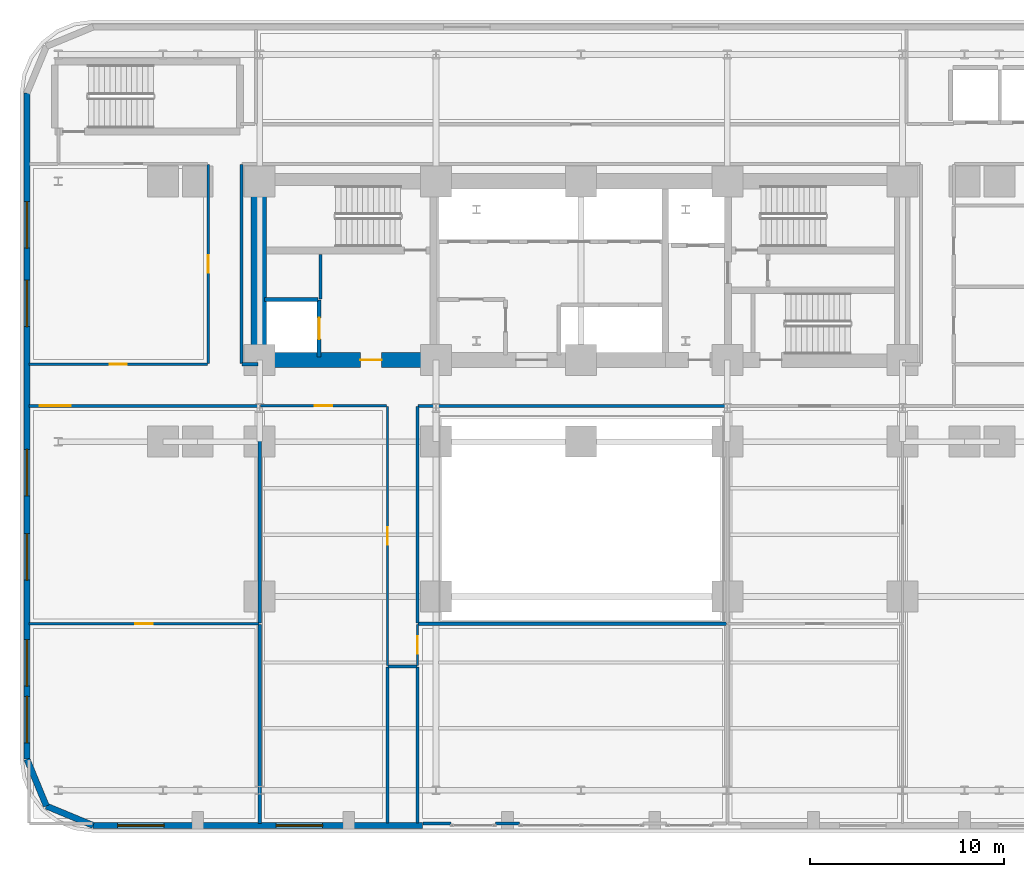
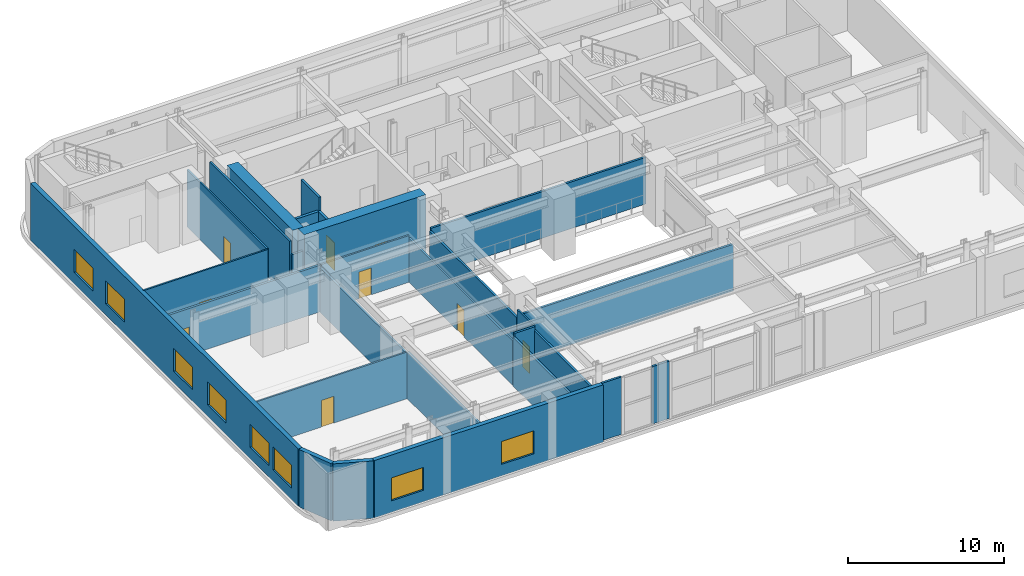
# One storey, part 6 of 16: 28 walls, 9 doors, 8 windows, 17 openings.
"""IFC4 building model written with IfcOpenShell, lengths in metres."""

from ifc_helpers import new_model, si_unit, direction, frame, frame_2d, origin, place, context, subcontext, project, spatial, rectangle, extrude, material, layer, layer_set, type_object, element, fill, save


model = new_model("IFC4")

# Units and contexts
model_context = context("Model", 3, precision=1e-05, world=origin(), true_north=direction((0.0, 1.0)))
body_context = subcontext(model_context, "Body", "Model", "MODEL_VIEW")
ifc_project = project(units=[si_unit("LENGTHUNIT", "METRE"), si_unit("AREAUNIT", "SQUARE_METRE"), si_unit("VOLUMEUNIT", "CUBIC_METRE"), si_unit("PLANEANGLEUNIT", "RADIAN"), si_unit("MASSUNIT", "GRAM", prefix="KILO")], contexts=[model_context])

# Site, building, storey
site_placement = place(None, origin())
site = spatial("IfcSite", under=ifc_project, at=site_placement, CompositionType="ELEMENT")
building_placement = place(site_placement, origin())
building = spatial("IfcBuilding", under=site, at=building_placement, Name="Zarnavel Station Tower", CompositionType="ELEMENT")
storey_placement = place(building_placement, frame((0.0, 0.0, 19.39990234375)))
storey = spatial("IfcBuildingStorey", under=building, at=storey_placement, Name="L05", CompositionType="ELEMENT", Elevation=19.39990234375)

# Wall, opening, door
ifc_material_1 = material(Name="Concrete C60/75", Category="concrete")
ifc_layer_1 = layer(ifc_material_1, 0.800048828125)
ifc_layer_set_1 = layer_set([ifc_layer_1], Name="CW_800")
wall_type_1 = type_object("IfcWallType", Name="CW_800", PredefinedType="SHEAR", material=ifc_layer_set_1)
wall_1_placement = place(storey_placement, frame((21.179931640625, 27.820068359375, 0.0), z_axis=(0.0, 0.0, 1.0), x_axis=(-1.0, 0.0, 0.0)))
wall_1 = element("IfcWall", 1, at=wall_1_placement, inside=storey, type_object=wall_type_1, Name="L05 Rear Core Shear Wall S-W", PredefinedType="SHEAR", context=body_context, shape_type="SweptSolid", body=[
    extrude(rectangle(XDim=9.030029296875, YDim=0.800048828125, at=frame_2d((4.51513671875, 0.0))), origin(), (0.0, 0.0, 1.0), 4.800048828125),
])
opening_1_placement = place(wall_1_placement, frame((2.679931640625, 0.0, 0.0)))
opening_1 = element("IfcOpeningElement", 2, at=opening_1_placement, cuts=wall_1, Name="Opening FD01", PredefinedType="OPENING", context=body_context, shape_type="SweptSolid", body=[
    extrude(rectangle(XDim=1.10009765625, YDim=2.14990234375, at=frame_2d((0.550048828125, 1.074951171875))), frame((0.0, 0.409912109375, 0.0), z_axis=(0.0, -1.0, 0.0), x_axis=(1.0, 0.0, 0.0)), (0.0, 0.0, 1.0), 0.820068359375),
])
ifc_material_2 = material(Name="Painted Galvanised Steel and Hardwood Leaf", Category="steel")
door_type_1 = type_object("IfcDoorType", Name="ID_STAIR_1100", OperationType="NOTDEFINED", PredefinedType="DOOR", material=ifc_material_2)
door_1_placement = place(opening_1_placement, origin())
door_1 = element("IfcDoor", 3, at=door_1_placement, inside=storey, type_object=door_type_1, Name="L05 West Firefighting Lobby Door", OperationType="SINGLE_SWING_RIGHT", OverallHeight=2.14990234375, OverallWidth=1.10009765625, PredefinedType="DOOR", context=body_context, shape_type="SweptSolid", body=[
    extrude(rectangle(XDim=1.10009765625, YDim=2.14990234375, at=frame_2d((0.550048828125, 1.074951171875))), frame((0.0, 0.02490234375, 0.0), z_axis=(0.0, -1.0, 0.0), x_axis=(1.0, 0.0, 0.0)), (0.0, 0.0, 1.0), 0.050048828125),
])
fill(opening_1, door_1)

# Wall
wall_2_placement = place(storey_placement, frame((12.14990234375, 28.219970703125, 0.0), z_axis=(0.0, 0.0, 1.0), x_axis=(0.0, 1.0, 0.0)))
element("IfcWall", 4, at=wall_2_placement, inside=storey, type_object=wall_type_1, Name="L05 Rear Core Shear Wall W", PredefinedType="SHEAR", context=body_context, shape_type="SweptSolid", body=[
    extrude(rectangle(XDim=8.429931640625, YDim=0.800048828125, at=frame_2d((4.21484375, 0.0))), origin(), (0.0, 0.0, 1.0), 4.800048828125),
])

# Wall, openings, windows
ifc_material_3 = material(Name="Precast concrete C45/55 (Podium Basalt Frame)", Category="masonry")
ifc_layer_2 = layer(ifc_material_3, 0.320068359375)
ifc_layer_set_2 = layer_set([ifc_layer_2], Name="EW_BASALT_320")
wall_type_2 = type_object("IfcWallType", Name="EW_BASALT_320", PredefinedType="SOLIDWALL", material=ifc_layer_set_2)
wall_3_placement = place(storey_placement, frame((0.179931640625, 7.199951171875, 0.0), z_axis=(0.0, 0.0, 1.0), x_axis=(0.0, 1.0, 0.0)))
wall_3 = element("IfcWall", 5, at=wall_3_placement, inside=storey, type_object=wall_type_2, Name="L05 Exterior Basalt Masonry Frame Wall 09", PredefinedType="SOLIDWALL", context=body_context, shape_type="SweptSolid", body=[
    extrude(rectangle(XDim=34.400146484375, YDim=0.320068359375, at=frame_2d((17.2001953125, 0.0))), origin(), (0.0, 0.0, 1.0), 4.5),
])
opening_2_placement = place(wall_3_placement, frame((22.35009765625, 0.0, 0.89990234375)))
opening_2 = element("IfcOpeningElement", 6, at=opening_2_placement, cuts=wall_3, Name="Opening WN03", PredefinedType="OPENING", context=body_context, shape_type="SweptSolid", body=[
    extrude(rectangle(XDim=2.39990234375, YDim=1.800048828125, at=frame_2d((1.199951171875, 0.89990234375))), frame((0.0, 0.169921875, 0.0), z_axis=(0.0, -1.0, 0.0), x_axis=(1.0, 0.0, 0.0)), (0.0, 0.0, 1.0), 0.340087890625),
])
opening_3_placement = place(wall_3_placement, frame((26.39990234375, 0.0, 0.89990234375)))
opening_3 = element("IfcOpeningElement", 7, at=opening_3_placement, cuts=wall_3, Name="Opening WN03", PredefinedType="OPENING", context=body_context, shape_type="SweptSolid", body=[
    extrude(rectangle(XDim=2.39990234375, YDim=1.800048828125, at=frame_2d((1.199951171875, 0.89990234375))), frame((0.0, 0.169921875, 0.0), z_axis=(0.0, -1.0, 0.0), x_axis=(1.0, 0.0, 0.0)), (0.0, 0.0, 1.0), 0.340087890625),
])
opening_4_placement = place(wall_3_placement, frame((0.8466796875, 0.0, 0.89990234375)))
opening_4 = element("IfcOpeningElement", 8, at=opening_4_placement, cuts=wall_3, Name="Opening WN03", PredefinedType="OPENING", context=body_context, shape_type="SweptSolid", body=[
    extrude(rectangle(XDim=2.39990234375, YDim=1.800048828125, at=frame_2d((1.199951171875, 0.89990234375))), frame((0.0, 0.169921875, 0.0), z_axis=(0.0, -1.0, 0.0), x_axis=(1.0, 0.0, 0.0)), (0.0, 0.0, 1.0), 0.340087890625),
])
opening_5_placement = place(wall_3_placement, frame((3.773193359375, 0.0, 0.89990234375)))
opening_5 = element("IfcOpeningElement", 9, at=opening_5_placement, cuts=wall_3, Name="Opening WN03", PredefinedType="OPENING", context=body_context, shape_type="SweptSolid", body=[
    extrude(rectangle(XDim=2.39990234375, YDim=1.800048828125, at=frame_2d((1.199951171875, 0.89990234375))), frame((0.0, 0.169921875, 0.0), z_axis=(0.0, -1.0, 0.0), x_axis=(1.0, 0.0, 0.0)), (0.0, 0.0, 1.0), 0.340087890625),
])
opening_6_placement = place(wall_3_placement, frame((9.25, 0.0, 0.89990234375)))
opening_6 = element("IfcOpeningElement", 10, at=opening_6_placement, cuts=wall_3, Name="Opening WN03", PredefinedType="OPENING", context=body_context, shape_type="SweptSolid", body=[
    extrude(rectangle(XDim=2.39990234375, YDim=1.800048828125, at=frame_2d((1.199951171875, 0.89990234375))), frame((0.0, 0.169921875, 0.0), z_axis=(0.0, -1.0, 0.0), x_axis=(1.0, 0.0, 0.0)), (0.0, 0.0, 1.0), 0.340087890625),
])
opening_7_placement = place(wall_3_placement, frame((13.60009765625, 0.0, 0.89990234375)))
opening_7 = element("IfcOpeningElement", 11, at=opening_7_placement, cuts=wall_3, Name="Opening WN03", PredefinedType="OPENING", context=body_context, shape_type="SweptSolid", body=[
    extrude(rectangle(XDim=2.39990234375, YDim=1.800048828125, at=frame_2d((1.199951171875, 0.89990234375))), frame((0.0, 0.169921875, 0.0), z_axis=(0.0, -1.0, 0.0), x_axis=(1.0, 0.0, 0.0)), (0.0, 0.0, 1.0), 0.340087890625),
])
ifc_material_4 = material(Name="Thermally Broken Black Aluminium and Low-E Dark Glass", Category="aluminium")
window_type = type_object("IfcWindowType", Name="WN_2400x1800", PartitioningType="TRIPLE_PANEL_VERTICAL", PredefinedType="WINDOW", material=ifc_material_4)
window_1_placement = place(opening_2_placement, origin())
window_1 = element("IfcWindow", 12, at=window_1_placement, inside=storey, type_object=window_type, Name="L05 Recessed Facade Window 01", OverallHeight=1.800048828125, OverallWidth=2.39990234375, PartitioningType="SINGLE_PANEL", PredefinedType="WINDOW", context=body_context, shape_type="SweptSolid", body=[
    extrude(rectangle(XDim=2.39990234375, YDim=1.800048828125, at=frame_2d((1.199951171875, 0.89990234375))), frame((0.0, 0.030029296875, 0.0), z_axis=(0.0, -1.0, 0.0), x_axis=(1.0, 0.0, 0.0)), (0.0, 0.0, 1.0), 0.06005859375),
])
fill(opening_2, window_1)
window_2_placement = place(opening_3_placement, origin())
window_2 = element("IfcWindow", 13, at=window_2_placement, inside=storey, type_object=window_type, Name="L05 Recessed Facade Window 02", OverallHeight=1.800048828125, OverallWidth=2.39990234375, PartitioningType="SINGLE_PANEL", PredefinedType="WINDOW", context=body_context, shape_type="SweptSolid", body=[
    extrude(rectangle(XDim=2.39990234375, YDim=1.800048828125, at=frame_2d((1.199951171875, 0.89990234375))), frame((0.0, 0.030029296875, 0.0), z_axis=(0.0, -1.0, 0.0), x_axis=(1.0, 0.0, 0.0)), (0.0, 0.0, 1.0), 0.06005859375),
])
fill(opening_3, window_2)
window_3_placement = place(opening_4_placement, origin())
window_3 = element("IfcWindow", 14, at=window_3_placement, inside=storey, type_object=window_type, Name="L05 Recessed Facade Window 03", OverallHeight=1.800048828125, OverallWidth=2.39990234375, PartitioningType="SINGLE_PANEL", PredefinedType="WINDOW", context=body_context, shape_type="SweptSolid", body=[
    extrude(rectangle(XDim=2.39990234375, YDim=1.800048828125, at=frame_2d((1.199951171875, 0.89990234375))), frame((0.0, 0.030029296875, 0.0), z_axis=(0.0, -1.0, 0.0), x_axis=(1.0, 0.0, 0.0)), (0.0, 0.0, 1.0), 0.06005859375),
])
fill(opening_4, window_3)
window_4_placement = place(opening_5_placement, origin())
window_4 = element("IfcWindow", 15, at=window_4_placement, inside=storey, type_object=window_type, Name="L05 Recessed Facade Window 04", OverallHeight=1.800048828125, OverallWidth=2.39990234375, PartitioningType="SINGLE_PANEL", PredefinedType="WINDOW", context=body_context, shape_type="SweptSolid", body=[
    extrude(rectangle(XDim=2.39990234375, YDim=1.800048828125, at=frame_2d((1.199951171875, 0.89990234375))), frame((0.0, 0.030029296875, 0.0), z_axis=(0.0, -1.0, 0.0), x_axis=(1.0, 0.0, 0.0)), (0.0, 0.0, 1.0), 0.06005859375),
])
fill(opening_5, window_4)
window_5_placement = place(opening_6_placement, origin())
window_5 = element("IfcWindow", 16, at=window_5_placement, inside=storey, type_object=window_type, Name="L05 Recessed Facade Window 05", OverallHeight=1.800048828125, OverallWidth=2.39990234375, PartitioningType="SINGLE_PANEL", PredefinedType="WINDOW", context=body_context, shape_type="SweptSolid", body=[
    extrude(rectangle(XDim=2.39990234375, YDim=1.800048828125, at=frame_2d((1.199951171875, 0.89990234375))), frame((0.0, 0.030029296875, 0.0), z_axis=(0.0, -1.0, 0.0), x_axis=(1.0, 0.0, 0.0)), (0.0, 0.0, 1.0), 0.06005859375),
])
fill(opening_6, window_5)
window_6_placement = place(opening_7_placement, origin())
window_6 = element("IfcWindow", 17, at=window_6_placement, inside=storey, type_object=window_type, Name="L05 Recessed Facade Window 06", OverallHeight=1.800048828125, OverallWidth=2.39990234375, PartitioningType="SINGLE_PANEL", PredefinedType="WINDOW", context=body_context, shape_type="SweptSolid", body=[
    extrude(rectangle(XDim=2.39990234375, YDim=1.800048828125, at=frame_2d((1.199951171875, 0.89990234375))), frame((0.0, 0.030029296875, 0.0), z_axis=(0.0, -1.0, 0.0), x_axis=(1.0, 0.0, 0.0)), (0.0, 0.0, 1.0), 0.06005859375),
])
fill(opening_7, window_6)

# Walls
wall_4_placement = place(storey_placement, frame((1.181640625, 4.78173828125, 0.0), z_axis=(0.0, 0.0, 1.0), x_axis=(-0.382700522567, 0.923872453333, 0.0)))
element("IfcWall", 18, at=wall_4_placement, inside=storey, type_object=wall_type_2, Name="L05 Exterior Basalt Masonry Frame Wall 10", PredefinedType="SOLIDWALL", context=body_context, shape_type="SweptSolid", body=[
    extrude(rectangle(XDim=2.617431640625, YDim=0.320068359375, at=frame_2d((1.30859375, 0.0))), origin(), (0.0, 0.0, 1.0), 4.5),
])
wall_5_placement = place(storey_placement, frame((3.60009765625, 3.780029296875, 0.0), z_axis=(0.0, 0.0, 1.0), x_axis=(-0.923886112352, 0.382667546838, 0.0)))
element("IfcWall", 19, at=wall_5_placement, inside=storey, type_object=wall_type_2, Name="L05 Exterior Basalt Masonry Frame Wall 11", PredefinedType="SOLIDWALL", context=body_context, shape_type="SweptSolid", body=[
    extrude(rectangle(XDim=2.61767578125, YDim=0.320068359375, at=frame_2d((1.308837890625, 0.0))), origin(), (0.0, 0.0, 1.0), 4.5),
])

# Wall, openings, windows
wall_6_placement = place(storey_placement, frame((20.60009765625, 3.780029296875, 0.0), z_axis=(0.0, 0.0, 1.0), x_axis=(-1.0, 0.0, 0.0)))
wall_6 = element("IfcWall", 20, at=wall_6_placement, inside=storey, type_object=wall_type_2, Name="L05 South West Masonry Facade Wall", PredefinedType="SOLIDWALL", context=body_context, shape_type="SweptSolid", body=[
    extrude(rectangle(XDim=17.0, YDim=0.320068359375, at=frame_2d((8.5, 0.0))), origin(), (0.0, 0.0, 1.0), 4.5),
])
opening_8_placement = place(wall_6_placement, frame((13.337890625, 0.0, 0.89990234375)))
opening_8 = element("IfcOpeningElement", 21, at=opening_8_placement, cuts=wall_6, Name="Opening WN03", PredefinedType="OPENING", context=body_context, shape_type="SweptSolid", body=[
    extrude(rectangle(XDim=2.39990234375, YDim=1.800048828125, at=frame_2d((1.199951171875, 0.89990234375))), frame((0.0, 0.169921875, 0.0), z_axis=(0.0, -1.0, 0.0), x_axis=(1.0, 0.0, 0.0)), (0.0, 0.0, 1.0), 0.340087890625),
])
opening_9_placement = place(wall_6_placement, frame((5.14794921875, 0.0, 0.89990234375)))
opening_9 = element("IfcOpeningElement", 22, at=opening_9_placement, cuts=wall_6, Name="Opening WN03", PredefinedType="OPENING", context=body_context, shape_type="SweptSolid", body=[
    extrude(rectangle(XDim=2.39990234375, YDim=1.800048828125, at=frame_2d((1.199951171875, 0.89990234375))), frame((0.0, 0.169921875, 0.0), z_axis=(0.0, -1.0, 0.0), x_axis=(1.0, 0.0, 0.0)), (0.0, 0.0, 1.0), 0.340087890625),
])
window_7_placement = place(opening_8_placement, origin())
window_7 = element("IfcWindow", 23, at=window_7_placement, inside=storey, type_object=window_type, Name="L05 Recessed Facade Window 01", OverallHeight=1.800048828125, OverallWidth=2.39990234375, PartitioningType="SINGLE_PANEL", PredefinedType="WINDOW", context=body_context, shape_type="SweptSolid", body=[
    extrude(rectangle(XDim=2.39990234375, YDim=1.800048828125, at=frame_2d((1.199951171875, 0.89990234375))), frame((0.0, 0.030029296875, 0.0), z_axis=(0.0, -1.0, 0.0), x_axis=(1.0, 0.0, 0.0)), (0.0, 0.0, 1.0), 0.06005859375),
])
fill(opening_8, window_7)
window_8_placement = place(opening_9_placement, origin())
window_8 = element("IfcWindow", 24, at=window_8_placement, inside=storey, type_object=window_type, Name="L05 Recessed Facade Window 02", OverallHeight=1.800048828125, OverallWidth=2.39990234375, PartitioningType="SINGLE_PANEL", PredefinedType="WINDOW", context=body_context, shape_type="SweptSolid", body=[
    extrude(rectangle(XDim=2.39990234375, YDim=1.800048828125, at=frame_2d((1.199951171875, 0.89990234375))), frame((0.0, 0.030029296875, 0.0), z_axis=(0.0, -1.0, 0.0), x_axis=(1.0, 0.0, 0.0)), (0.0, 0.0, 1.0), 0.06005859375),
])
fill(opening_9, window_8)

# Wall, opening, door
ifc_material_5 = material(Name="Gypsum Twin-Stud Acoustic Fire Partition", Category="concrete")
ifc_layer_3 = layer(ifc_material_5, 0.159912109375)
ifc_layer_set_3 = layer_set([ifc_layer_3], Name="PT_DEMISE_160")
wall_type_3 = type_object("IfcWallType", Name="PT_DEMISE_160", PredefinedType="PARTITIONING", material=ifc_layer_set_3)
wall_7_placement = place(storey_placement, frame((0.280029296875, 25.449951171875, 0.0), z_axis=(0.0, 0.0, 1.0), x_axis=(1.0, 0.0, 0.0)))
wall_7 = element("IfcWall", 25, at=wall_7_placement, inside=storey, type_object=wall_type_3, Name="L05 Partition PCOR-S-BALLF", PredefinedType="PARTITIONING", context=body_context, shape_type="SweptSolid", body=[
    extrude(rectangle(XDim=11.8798828125, YDim=0.159912109375, at=frame_2d((5.93994140625, 0.0))), origin(), (0.0, 0.0, 1.0), 3.666015625),
])
opening_10_placement = place(wall_7_placement, frame((0.556640625, 0.0, 0.0)))
opening_10 = element("IfcOpeningElement", 26, at=opening_10_placement, cuts=wall_7, Name="Opening ID03", PredefinedType="OPENING", context=body_context, shape_type="SweptSolid", body=[
    extrude(rectangle(XDim=1.60009765625, YDim=2.199951171875, at=frame_2d((0.800048828125, 1.10009765625))), frame((0.0, 0.08984375, 0.0), z_axis=(0.0, -1.0, 0.0), x_axis=(1.0, 0.0, 0.0)), (0.0, 0.0, 1.0), 0.179931640625),
])
ifc_material_6 = material(Name="Painted Galvanised Steel and Hardwood Leaf", Category="steel")
door_type_2 = type_object("IfcDoorType", Name="ID_PUBLIC_1600", OperationType="DOUBLE_DOOR_SINGLE_SWING", PredefinedType="DOOR", material=ifc_material_6)
door_2_placement = place(opening_10_placement, origin())
door_2 = element("IfcDoor", 27, at=door_2_placement, inside=storey, type_object=door_type_2, Name="L05 Door PCOR-S-BALLF", OperationType="SINGLE_SWING_LEFT", OverallHeight=2.199951171875, OverallWidth=1.60009765625, PredefinedType="DOOR", context=body_context, shape_type="SweptSolid", body=[
    extrude(rectangle(XDim=1.60009765625, YDim=2.199951171875, at=frame_2d((0.800048828125, 1.10009765625))), frame((0.0, 0.02490234375, 0.0), z_axis=(0.0, -1.0, 0.0), x_axis=(1.0, 0.0, 0.0)), (0.0, 0.0, 1.0), 0.050048828125),
])
fill(opening_10, door_2)

# Walls
wall_8_placement = place(storey_placement, frame((12.199951171875, 3.8798828125, 0.0), z_axis=(0.0, 0.0, 1.0), x_axis=(0.0, 1.0, 0.0)))
element("IfcWall", 28, at=wall_8_placement, inside=storey, type_object=wall_type_3, Name="L05 Partition BALLV-BALL", PredefinedType="PARTITIONING", context=body_context, shape_type="SweptSolid", body=[
    extrude(rectangle(XDim=10.280029296875, YDim=0.159912109375, at=frame_2d((5.14013671875, 0.0))), origin(), (0.0, 0.0, 1.0), 3.666015625),
])
wall_9_placement = place(storey_placement, frame((12.199951171875, 14.239990234375, 0.0), z_axis=(0.0, 0.0, 1.0), x_axis=(0.0, 1.0, 0.0)))
element("IfcWall", 29, at=wall_9_placement, inside=storey, type_object=wall_type_3, Name="L05 Partition BALLF-BALL", PredefinedType="PARTITIONING", context=body_context, shape_type="SweptSolid", body=[
    extrude(rectangle(XDim=11.169921875, YDim=0.159912109375, at=frame_2d((5.5849609375, 0.0))), origin(), (0.0, 0.0, 1.0), 3.47216796875),
])
wall_10_placement = place(storey_placement, frame((15.35009765625, 30.9599609375, 0.0), z_axis=(0.0, 0.0, 1.0), x_axis=(0.0, 1.0, 0.0)))
element("IfcWall", 30, at=wall_10_placement, inside=storey, type_object=wall_type_3, Name="L05 Enclosure Wall FFL1", PredefinedType="PARTITIONING", context=body_context, shape_type="SweptSolid", body=[
    extrude(rectangle(XDim=2.31005859375, YDim=0.159912109375, at=frame_2d((1.155029296875, 0.0))), origin(), (0.0, 0.0, 1.0), 4.5),
])
wall_11_placement = place(storey_placement, frame((20.3798828125, 25.449951171875, 0.0), z_axis=(0.0, 0.0, 1.0), x_axis=(1.0, 0.0, 0.0)))
element("IfcWall", 31, at=wall_11_placement, inside=storey, type_object=wall_type_3, Name="L05 Enclosure Wall PCOR-S", PredefinedType="PARTITIONING", context=body_context, shape_type="SweptSolid", body=[
    extrude(rectangle(XDim=15.940185546875, YDim=0.159912109375, at=frame_2d((7.97021484375, 0.0))), origin(), (0.0, 0.0, 1.0), 3.666015625),
])
wall_12_placement = place(storey_placement, frame((11.280029296875, 27.60009765625, 0.0), z_axis=(0.0, 0.0, 1.0), x_axis=(1.0, 0.0, 0.0)))
element("IfcWall", 32, at=wall_12_placement, inside=storey, type_object=wall_type_3, Name="L05 Enclosure Wall PCOR-S", PredefinedType="PARTITIONING", context=body_context, shape_type="SweptSolid", body=[
    extrude(rectangle(XDim=0.840087890625, YDim=0.159912109375, at=frame_2d((0.419921875, 0.0))), origin(), (0.0, 0.0, 1.0), 3.47216796875),
])
wall_13_placement = place(storey_placement, frame((11.25, 27.6298828125, 0.0), z_axis=(0.0, 0.0, 1.0), x_axis=(0.0, 1.0, 0.0)))
element("IfcWall", 33, at=wall_13_placement, inside=storey, type_object=wall_type_3, Name="L05 Enclosure Wall PCOR-W", PredefinedType="PARTITIONING", context=body_context, shape_type="SweptSolid", body=[
    extrude(rectangle(XDim=10.2900390625, YDim=0.159912109375, at=frame_2d((5.14501953125, 0.0))), origin(), (0.0, 0.0, 1.0), 4.5),
])
wall_14_placement = place(storey_placement, frame((18.830078125, 12.0, 0.0), z_axis=(0.0, 0.0, 1.0), x_axis=(1.0, 0.0, 0.0)))
element("IfcWall", 34, at=wall_14_placement, inside=storey, type_object=wall_type_3, Name="L05 Enclosure Wall PCOR-AW", PredefinedType="PARTITIONING", context=body_context, shape_type="SweptSolid", body=[
    extrude(rectangle(XDim=1.489990234375, YDim=0.159912109375, at=frame_2d((0.7451171875, 0.0))), origin(), (0.0, 0.0, 1.0), 4.1201171875),
])
wall_15_placement = place(storey_placement, frame((20.35009765625, 14.22998046875, 0.0), z_axis=(0.0, 0.0, 1.0), x_axis=(0.0, 1.0, 0.0)))
element("IfcWall", 35, at=wall_15_placement, inside=storey, type_object=wall_type_3, Name="L05 Enclosure Wall PCOR-AW", PredefinedType="PARTITIONING", context=body_context, shape_type="SweptSolid", body=[
    extrude(rectangle(XDim=11.18994140625, YDim=0.159912109375, at=frame_2d((5.594970703125, 0.0))), origin(), (0.0, 0.0, 1.0), 3.47216796875),
])
wall_16_placement = place(storey_placement, frame((18.800048828125, 3.909912109375, 0.0), z_axis=(0.0, 0.0, 1.0), x_axis=(0.0, 1.0, 0.0)))
element("IfcWall", 36, at=wall_16_placement, inside=storey, type_object=wall_type_3, Name="L05 Enclosure Wall BALL", PredefinedType="PARTITIONING", context=body_context, shape_type="SweptSolid", body=[
    extrude(rectangle(XDim=8.06005859375, YDim=0.159912109375, at=frame_2d((4.030029296875, 0.0))), origin(), (0.0, 0.0, 1.0), 3.830078125),
])
wall_17_placement = place(storey_placement, frame((20.6298828125, 3.8798828125, 0.0), z_axis=(0.0, 0.0, 1.0), x_axis=(1.0, 0.0, 0.0)))
element("IfcWall", 37, at=wall_17_placement, inside=storey, type_object=wall_type_3, Name="L05 Enclosure Wall PREF", PredefinedType="PARTITIONING", context=body_context, shape_type="SweptSolid", body=[
    extrude(rectangle(XDim=1.440185546875, YDim=0.159912109375, at=frame_2d((0.72021484375, 0.0))), origin(), (0.0, 0.0, 1.0), 4.5),
])
wall_18_placement = place(storey_placement, frame((24.385986328125, 3.8798828125, 0.0), z_axis=(0.0, 0.0, 1.0), x_axis=(1.0, 0.0, 0.0)))
element("IfcWall", 38, at=wall_18_placement, inside=storey, type_object=wall_type_3, Name="L05 Enclosure Wall PREF", PredefinedType="PARTITIONING", context=body_context, shape_type="SweptSolid", body=[
    extrude(rectangle(XDim=1.22802734375, YDim=0.159912109375, at=frame_2d((0.614013671875, 0.0))), origin(), (0.0, 0.0, 1.0), 4.5),
])
wall_19_placement = place(storey_placement, frame((20.3798828125, 14.199951171875, 0.0), z_axis=(0.0, 0.0, 1.0), x_axis=(1.0, 0.0, 0.0)))
element("IfcWall", 39, at=wall_19_placement, inside=storey, type_object=wall_type_3, Name="L05 Enclosure Wall PREF", PredefinedType="PARTITIONING", context=body_context, shape_type="SweptSolid", body=[
    extrude(rectangle(XDim=15.940185546875, YDim=0.159912109375, at=frame_2d((7.97021484375, 0.0))), origin(), (0.0, 0.0, 1.0), 3.666015625),
])
wall_20_placement = place(storey_placement, frame((20.35009765625, 3.909912109375, 0.0), z_axis=(0.0, 0.0, 1.0), x_axis=(0.0, 1.0, 0.0)))
element("IfcWall", 40, at=wall_20_placement, inside=storey, type_object=wall_type_3, Name="L05 Enclosure Wall PREF", PredefinedType="PARTITIONING", context=body_context, shape_type="SweptSolid", body=[
    extrude(rectangle(XDim=8.06005859375, YDim=0.159912109375, at=frame_2d((4.030029296875, 0.0))), origin(), (0.0, 0.0, 1.0), 3.830078125),
])

# Wall, opening, door
ifc_material_7 = material(Name="Gypsum Metal-Stud Interior Partition", Category="concrete")
ifc_layer_4 = layer(ifc_material_7, 0.1201171875)
ifc_layer_set_4 = layer_set([ifc_layer_4], Name="PT_ROOM_120")
wall_type_4 = type_object("IfcWallType", Name="PT_ROOM_120", PredefinedType="PARTITIONING", material=ifc_layer_set_4)
wall_21_placement = place(storey_placement, frame((0.280029296875, 27.60009765625, 0.0), z_axis=(0.0, 0.0, 1.0), x_axis=(1.0, 0.0, 0.0)))
wall_21 = element("IfcWall", 41, at=wall_21_placement, inside=storey, type_object=wall_type_4, Name="L05 Partition PCOR-S-PNW", PredefinedType="PARTITIONING", context=body_context, shape_type="SweptSolid", body=[
    extrude(rectangle(XDim=9.22998046875, YDim=0.1201171875, at=frame_2d((4.614990234375, 0.0))), origin(), (0.0, 0.0, 1.0), 4.5),
])
opening_11_placement = place(wall_21_placement, frame((4.1650390625, 0.0, 0.0)))
opening_11 = element("IfcOpeningElement", 42, at=opening_11_placement, cuts=wall_21, Name="Opening ID01", PredefinedType="OPENING", context=body_context, shape_type="SweptSolid", body=[
    extrude(rectangle(XDim=0.89990234375, YDim=2.10009765625, at=frame_2d((0.449951171875, 1.050048828125))), frame((0.0, 0.070068359375, 0.0), z_axis=(0.0, -1.0, 0.0), x_axis=(1.0, 0.0, 0.0)), (0.0, 0.0, 1.0), 0.14013671875),
])
ifc_material_8 = material(Name="Painted Galvanised Steel and Hardwood Leaf", Category="steel")
door_type_3 = type_object("IfcDoorType", Name="ID_ROOM_900", OperationType="NOTDEFINED", PredefinedType="DOOR", material=ifc_material_8)
door_3_placement = place(opening_11_placement, origin())
door_3 = element("IfcDoor", 43, at=door_3_placement, inside=storey, type_object=door_type_3, Name="L05 Door PCOR-S-PNW", OperationType="SINGLE_SWING_LEFT", OverallHeight=2.10009765625, OverallWidth=0.89990234375, PredefinedType="DOOR", context=body_context, shape_type="SweptSolid", body=[
    extrude(rectangle(XDim=0.89990234375, YDim=2.10009765625, at=frame_2d((0.449951171875, 1.050048828125))), frame((0.0, 0.02490234375, 0.0), z_axis=(0.0, -1.0, 0.0), x_axis=(1.0, 0.0, 0.0)), (0.0, 0.0, 1.0), 0.050048828125),
])
fill(opening_11, door_3)

wall_22_placement = place(storey_placement, frame((12.239990234375, 25.449951171875, 0.0), z_axis=(0.0, 0.0, 1.0), x_axis=(1.0, 0.0, 0.0)))
wall_22 = element("IfcWall", 44, at=wall_22_placement, inside=storey, type_object=wall_type_4, Name="L05 Partition PCOR-S-BALL", PredefinedType="PARTITIONING", context=body_context, shape_type="SweptSolid", body=[
    extrude(rectangle(XDim=6.52001953125, YDim=0.1201171875, at=frame_2d((3.260009765625, 0.0))), origin(), (0.0, 0.0, 1.0), 3.666015625),
])
opening_12_placement = place(wall_22_placement, frame((2.81005859375, 0.0, 0.0)))
opening_12 = element("IfcOpeningElement", 45, at=opening_12_placement, cuts=wall_22, Name="Opening ID01", PredefinedType="OPENING", context=body_context, shape_type="SweptSolid", body=[
    extrude(rectangle(XDim=0.89990234375, YDim=2.10009765625, at=frame_2d((0.449951171875, 1.050048828125))), frame((0.0, 0.070068359375, 0.0), z_axis=(0.0, -1.0, 0.0), x_axis=(1.0, 0.0, 0.0)), (0.0, 0.0, 1.0), 0.14013671875),
])
door_4_placement = place(opening_12_placement, origin())
door_4 = element("IfcDoor", 46, at=door_4_placement, inside=storey, type_object=door_type_3, Name="L05 Door PCOR-S-BALL", OperationType="SINGLE_SWING_LEFT", OverallHeight=2.10009765625, OverallWidth=0.89990234375, PredefinedType="DOOR", context=body_context, shape_type="SweptSolid", body=[
    extrude(rectangle(XDim=0.89990234375, YDim=2.10009765625, at=frame_2d((0.449951171875, 1.050048828125))), frame((0.0, 0.02490234375, 0.0), z_axis=(0.0, -1.0, 0.0), x_axis=(1.0, 0.0, 0.0)), (0.0, 0.0, 1.0), 0.050048828125),
])
fill(opening_12, door_4)

wall_23_placement = place(storey_placement, frame((9.550048828125, 27.639892578125, 0.0), z_axis=(0.0, 0.0, 1.0), x_axis=(0.0, 1.0, 0.0)))
wall_23 = element("IfcWall", 47, at=wall_23_placement, inside=storey, type_object=wall_type_4, Name="L05 Partition PCOR-W-PNW", PredefinedType="PARTITIONING", context=body_context, shape_type="SweptSolid", body=[
    extrude(rectangle(XDim=10.27001953125, YDim=0.1201171875, at=frame_2d((5.135009765625, 0.0))), origin(), (0.0, 0.0, 1.0), 4.5),
])
opening_13_placement = place(wall_23_placement, frame((4.68505859375, 0.0, 0.0)))
opening_13 = element("IfcOpeningElement", 48, at=opening_13_placement, cuts=wall_23, Name="Opening ID01", PredefinedType="OPENING", context=body_context, shape_type="SweptSolid", body=[
    extrude(rectangle(XDim=0.89990234375, YDim=2.10009765625, at=frame_2d((0.449951171875, 1.050048828125))), frame((0.0, 0.070068359375, 0.0), z_axis=(0.0, -1.0, 0.0), x_axis=(1.0, 0.0, 0.0)), (0.0, 0.0, 1.0), 0.14013671875),
])
door_5_placement = place(opening_13_placement, origin())
door_5 = element("IfcDoor", 49, at=door_5_placement, inside=storey, type_object=door_type_3, Name="L05 Door PCOR-W-PNW", OperationType="SINGLE_SWING_LEFT", OverallHeight=2.10009765625, OverallWidth=0.89990234375, PredefinedType="DOOR", context=body_context, shape_type="SweptSolid", body=[
    extrude(rectangle(XDim=0.89990234375, YDim=2.10009765625, at=frame_2d((0.449951171875, 1.050048828125))), frame((0.0, 0.02490234375, 0.0), z_axis=(0.0, -1.0, 0.0), x_axis=(1.0, 0.0, 0.0)), (0.0, 0.0, 1.0), 0.050048828125),
])
fill(opening_13, door_5)

wall_24_placement = place(storey_placement, frame((18.800048828125, 12.0400390625, 0.0), z_axis=(0.0, 0.0, 1.0), x_axis=(0.0, 1.0, 0.0)))
wall_24 = element("IfcWall", 50, at=wall_24_placement, inside=storey, type_object=wall_type_4, Name="L05 Partition PCOR-AW-BALL", PredefinedType="PARTITIONING", context=body_context, shape_type="SweptSolid", body=[
    extrude(rectangle(XDim=13.369873046875, YDim=0.1201171875, at=frame_2d((6.68505859375, 0.0))), origin(), (0.0, 0.0, 1.0), 3.47216796875),
])
opening_14_placement = place(wall_24_placement, frame((6.235107421875, 0.0, 0.0)))
opening_14 = element("IfcOpeningElement", 51, at=opening_14_placement, cuts=wall_24, Name="Opening ID01", PredefinedType="OPENING", context=body_context, shape_type="SweptSolid", body=[
    extrude(rectangle(XDim=0.89990234375, YDim=2.10009765625, at=frame_2d((0.449951171875, 1.050048828125))), frame((0.0, 0.070068359375, 0.0), z_axis=(0.0, -1.0, 0.0), x_axis=(1.0, 0.0, 0.0)), (0.0, 0.0, 1.0), 0.14013671875),
])
door_6_placement = place(opening_14_placement, origin())
door_6 = element("IfcDoor", 52, at=door_6_placement, inside=storey, type_object=door_type_3, Name="L05 Door PCOR-AW-BALL", OperationType="SINGLE_SWING_LEFT", OverallHeight=2.10009765625, OverallWidth=0.89990234375, PredefinedType="DOOR", context=body_context, shape_type="SweptSolid", body=[
    extrude(rectangle(XDim=0.89990234375, YDim=2.10009765625, at=frame_2d((0.449951171875, 1.050048828125))), frame((0.0, 0.02490234375, 0.0), z_axis=(0.0, -1.0, 0.0), x_axis=(1.0, 0.0, 0.0)), (0.0, 0.0, 1.0), 0.050048828125),
])
fill(opening_14, door_6)

wall_25_placement = place(storey_placement, frame((20.35009765625, 12.0400390625, 0.0), z_axis=(0.0, 0.0, 1.0), x_axis=(0.0, 1.0, 0.0)))
wall_25 = element("IfcWall", 53, at=wall_25_placement, inside=storey, type_object=wall_type_4, Name="L05 Partition PCOR-AW-PREF", PredefinedType="PARTITIONING", context=body_context, shape_type="SweptSolid", body=[
    extrude(rectangle(XDim=2.119873046875, YDim=0.1201171875, at=frame_2d((1.06005859375, 0.0))), origin(), (0.0, 0.0, 1.0), 4.1201171875),
])
opening_15_placement = place(wall_25_placement, frame((0.610107421875, 0.0, 0.0)))
opening_15 = element("IfcOpeningElement", 54, at=opening_15_placement, cuts=wall_25, Name="Opening ID01", PredefinedType="OPENING", context=body_context, shape_type="SweptSolid", body=[
    extrude(rectangle(XDim=0.89990234375, YDim=2.10009765625, at=frame_2d((0.449951171875, 1.050048828125))), frame((0.0, 0.070068359375, 0.0), z_axis=(0.0, -1.0, 0.0), x_axis=(1.0, 0.0, 0.0)), (0.0, 0.0, 1.0), 0.14013671875),
])
door_7_placement = place(opening_15_placement, origin())
door_7 = element("IfcDoor", 55, at=door_7_placement, inside=storey, type_object=door_type_3, Name="L05 Door PCOR-AW-PREF", OperationType="SINGLE_SWING_RIGHT", OverallHeight=2.10009765625, OverallWidth=0.89990234375, PredefinedType="DOOR", context=body_context, shape_type="SweptSolid", body=[
    extrude(rectangle(XDim=0.89990234375, YDim=2.10009765625, at=frame_2d((0.449951171875, 1.050048828125))), frame((0.0, 0.02490234375, 0.0), z_axis=(0.0, -1.0, 0.0), x_axis=(1.0, 0.0, 0.0)), (0.0, 0.0, 1.0), 0.050048828125),
])
fill(opening_15, door_7)

wall_26_placement = place(storey_placement, frame((0.280029296875, 14.199951171875, 0.0), z_axis=(0.0, 0.0, 1.0), x_axis=(1.0, 0.0, 0.0)))
wall_26 = element("IfcWall", 56, at=wall_26_placement, inside=storey, type_object=wall_type_4, Name="L05 Partition BALLV-BALLF", PredefinedType="PARTITIONING", context=body_context, shape_type="SweptSolid", body=[
    extrude(rectangle(XDim=11.8798828125, YDim=0.1201171875, at=frame_2d((5.93994140625, 0.0))), origin(), (0.0, 0.0, 1.0), 3.666015625),
])
opening_16_placement = place(wall_26_placement, frame((5.489990234375, 0.0, 0.0)))
opening_16 = element("IfcOpeningElement", 57, at=opening_16_placement, cuts=wall_26, Name="Opening ID01", PredefinedType="OPENING", context=body_context, shape_type="SweptSolid", body=[
    extrude(rectangle(XDim=0.89990234375, YDim=2.10009765625, at=frame_2d((0.449951171875, 1.050048828125))), frame((0.0, 0.070068359375, 0.0), z_axis=(0.0, -1.0, 0.0), x_axis=(1.0, 0.0, 0.0)), (0.0, 0.0, 1.0), 0.14013671875),
])
door_8_placement = place(opening_16_placement, origin())
door_8 = element("IfcDoor", 58, at=door_8_placement, inside=storey, type_object=door_type_3, Name="L05 Door BALLV-BALLF", OperationType="SINGLE_SWING_LEFT", OverallHeight=2.10009765625, OverallWidth=0.89990234375, PredefinedType="DOOR", context=body_context, shape_type="SweptSolid", body=[
    extrude(rectangle(XDim=0.89990234375, YDim=2.10009765625, at=frame_2d((0.449951171875, 1.050048828125))), frame((0.0, 0.02490234375, 0.0), z_axis=(0.0, -1.0, 0.0), x_axis=(1.0, 0.0, 0.0)), (0.0, 0.0, 1.0), 0.050048828125),
])
fill(opening_16, door_8)

ifc_material_9 = material(Name="Precast concrete C45/55 (Fire Shaft Blockwork)", Category="masonry")
ifc_layer_5 = layer(ifc_material_9, 0.199951171875)
ifc_layer_set_5 = layer_set([ifc_layer_5], Name="PT_SHAFT_200")
wall_type_5 = type_object("IfcWallType", Name="PT_SHAFT_200", PredefinedType="PARTITIONING", material=ifc_layer_set_5)
wall_27_placement = place(storey_placement, frame((15.27001953125, 27.969970703125, 0.0), z_axis=(0.0, 0.0, 1.0), x_axis=(0.0, 1.0, 0.0)))
wall_27 = element("IfcWall", 59, at=wall_27_placement, inside=storey, type_object=wall_type_5, Name="L05 Lift FFL-01 Shaft Front Wall", PredefinedType="PARTITIONING", context=body_context, shape_type="SweptSolid", body=[
    extrude(rectangle(XDim=2.9599609375, YDim=0.199951171875, at=frame_2d((1.47998046875, 0.0))), origin(), (0.0, 0.0, 1.0), 3.47216796875),
])
opening_17_placement = place(wall_27_placement, frame((0.929931640625, 0.0, 0.0)))
opening_17 = element("IfcOpeningElement", 60, at=opening_17_placement, cuts=wall_27, Name="Opening LD01", PredefinedType="OPENING", context=body_context, shape_type="SweptSolid", body=[
    extrude(rectangle(XDim=1.10009765625, YDim=2.14990234375, at=frame_2d((0.550048828125, 1.074951171875))), frame((0.0, 0.10986328125, 0.0), z_axis=(0.0, -1.0, 0.0), x_axis=(1.0, 0.0, 0.0)), (0.0, 0.0, 1.0), 0.219970703125),
])
ifc_material_10 = material(Name="Painted Galvanised Steel and Hardwood Leaf", Category="steel")
door_type_4 = type_object("IfcDoorType", Name="LD_FF_1100", OperationType="DOUBLE_DOOR_SLIDING", PredefinedType="DOOR", material=ifc_material_10)
door_9_placement = place(opening_17_placement, origin())
door_9 = element("IfcDoor", 61, at=door_9_placement, inside=storey, type_object=door_type_4, Name="L05 Lift FFL-01 Sliding Landing Door", OperationType="DOUBLE_DOOR_SLIDING", OverallHeight=2.14990234375, OverallWidth=1.10009765625, PredefinedType="DOOR", context=body_context, shape_type="SweptSolid", body=[
    extrude(rectangle(XDim=1.10009765625, YDim=2.14990234375, at=frame_2d((0.550048828125, 1.074951171875))), frame((0.0, 0.02490234375, 0.0), z_axis=(0.0, -1.0, 0.0), x_axis=(1.0, 0.0, 0.0)), (0.0, 0.0, 1.0), 0.050048828125),
])
fill(opening_17, door_9)

# Wall
wall_28_placement = place(storey_placement, frame((12.449951171875, 30.949951171875, 0.0), z_axis=(0.0, 0.0, 1.0), x_axis=(1.0, 0.0, 0.0)))
element("IfcWall", 62, at=wall_28_placement, inside=storey, type_object=wall_type_5, Name="L05 Lift FFL-01 North Shaft Wall", PredefinedType="PARTITIONING", context=body_context, shape_type="SweptSolid", body=[
    extrude(rectangle(XDim=2.75, YDim=0.199951171875, at=frame_2d((1.375, 0.0))), origin(), (0.0, 0.0, 1.0), 3.47216796875),
])

save(model, "model.ifc")
